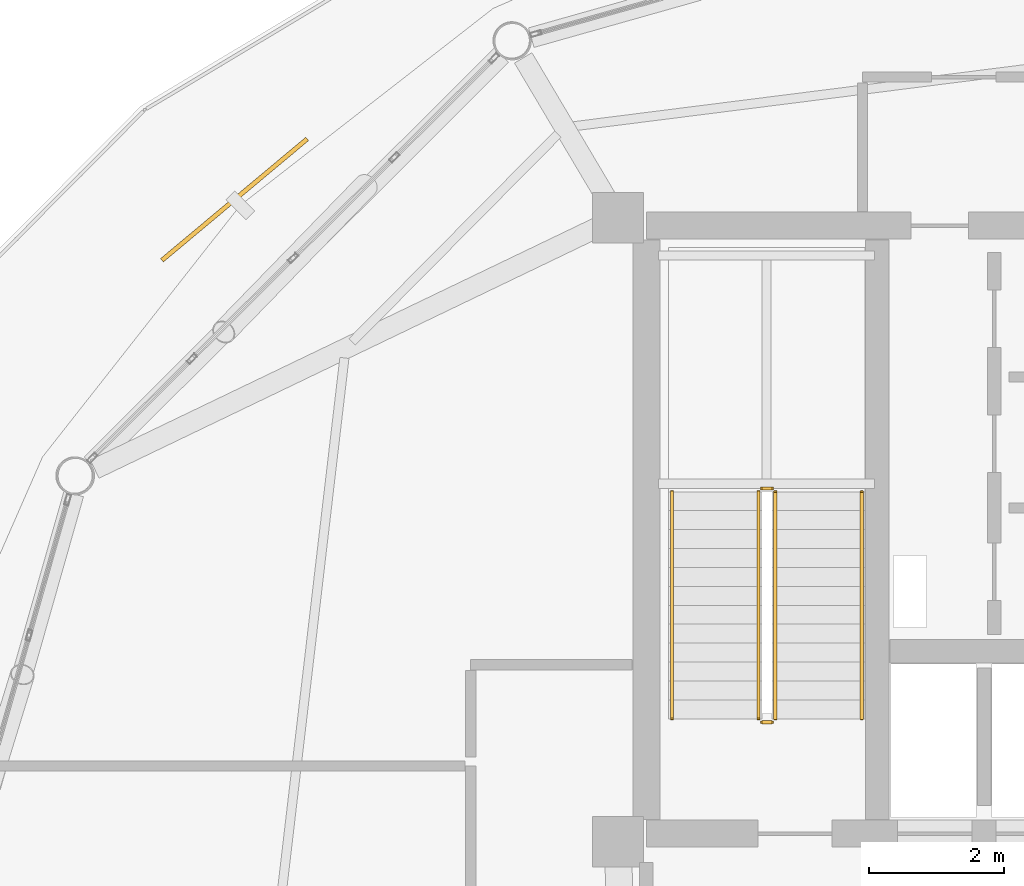
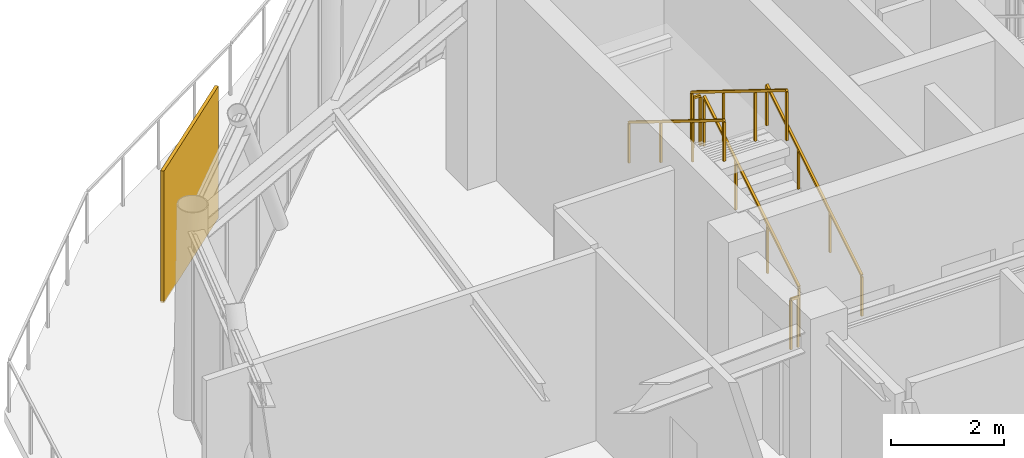
# One storey, part 22 of 24: 6 railings, 1 shading device.
"""IFC4 building model written with IfcOpenShell, lengths in metres."""

from ifc_helpers import new_model, si_unit, direction, frame, origin, origin_2d, place, context, subcontext, project, spatial, rectangle, extrude, source, transform, mapped, material, type_object, type_shapes, element, save


model = new_model("IFC4")

# Units and contexts
model_context = context("Model", 3, precision=1e-05, world=origin(), true_north=direction((0.0, 1.0)))
body_context = subcontext(model_context, "Body", "Model", "MODEL_VIEW")
ifc_project = project(units=[si_unit("LENGTHUNIT", "METRE"), si_unit("AREAUNIT", "SQUARE_METRE"), si_unit("VOLUMEUNIT", "CUBIC_METRE"), si_unit("PLANEANGLEUNIT", "RADIAN"), si_unit("MASSUNIT", "GRAM", prefix="KILO")], contexts=[model_context])

# Site, building, storey
site_placement = place(None, origin())
site = spatial("IfcSite", under=ifc_project, at=site_placement, CompositionType="ELEMENT")
building_placement = place(site_placement, origin())
building = spatial("IfcBuilding", under=site, at=building_placement, Name="Varnakorn Sky Granary", CompositionType="ELEMENT")
storey_placement = place(building_placement, frame((0.0, 0.0, 285.0)))
storey = spatial("IfcBuildingStorey", under=building, at=storey_placement, Name="L73", CompositionType="ELEMENT", Elevation=285.0)

# Railings
ifc_material_1 = material(Name="Brushed Stainless Steel 316", Category="steel")
railing_type_1 = type_object("IfcRailingType", Name="RL-STAIR-1100", PredefinedType="GUARDRAIL", material=ifc_material_1)
railing_1_placement = place(storey_placement, frame((-0.090087890625, 5.199951171875, 0.173095703125)))
element("IfcRailing", 1, at=railing_1_placement, inside=storey, type_object=railing_type_1, Name="L73 ST-1 stair guard 1", PredefinedType="GUARDRAIL", context=body_context, shape_type="SweptSolid", body=[
    extrude(rectangle(XDim=0.048095703125, YDim=0.048095703125, at=origin_2d()), frame((0.0, 0.0, 1.076171875), z_axis=(0.0, 0.850623216509, 0.525775754039), x_axis=(-1.0, 0.0, 0.0)), (0.0, 0.0, 1.0), 3.9501953125),
    extrude(rectangle(XDim=0.0419921875, YDim=0.0419921875, at=origin_2d()), origin(), (0.0, 0.0, 1.0), 1.048095703125),
    extrude(rectangle(XDim=0.0419921875, YDim=0.0419921875, at=origin_2d()), frame((0.0, 1.1201171875, 0.6923828125)), (0.0, 0.0, 1.0), 1.048095703125),
    extrude(rectangle(XDim=0.0419921875, YDim=0.0419921875, at=origin_2d()), frame((0.0, 2.239990234375, 1.384521484375)), (0.0, 0.0, 1.0), 1.048095703125),
    extrude(rectangle(XDim=0.0419921875, YDim=0.0419921875, at=origin_2d()), frame((0.0, 3.360107421875, 2.076904296875)), (0.0, 0.0, 1.0), 1.048095703125),
])
railing_2_placement = place(storey_placement, frame((-0.139892578125, 8.610107421875, 2.25)))
element("IfcRailing", 2, at=railing_2_placement, inside=storey, type_object=railing_type_1, Name="L73 ST-1 stair guard 2", PredefinedType="GUARDRAIL", context=body_context, shape_type="SweptSolid", body=[
    extrude(rectangle(XDim=0.048095703125, YDim=0.048095703125, at=origin_2d()), frame((0.0, 0.0, 1.076171875), z_axis=(-1.0, 0.0, 0.0), x_axis=(0.0, -1.0, 0.0)), (0.0, 0.0, 1.0), 0.150146484375),
    extrude(rectangle(XDim=0.0419921875, YDim=0.0419921875, at=origin_2d()), origin(), (0.0, 0.0, 1.0), 1.048095703125),
    extrude(rectangle(XDim=0.0419921875, YDim=0.0419921875, at=origin_2d()), frame((-0.150146484375, 0.0, 0.0)), (0.0, 0.0, 1.0), 1.048095703125),
])
railing_3_placement = place(storey_placement, frame((-0.340087890625, 8.56005859375, 2.423095703125)))
element("IfcRailing", 3, at=railing_3_placement, inside=storey, type_object=railing_type_1, Name="L73 ST-1 stair guard 3", PredefinedType="GUARDRAIL", context=body_context, shape_type="SweptSolid", body=[
    extrude(rectangle(XDim=0.048095703125, YDim=0.048095703125, at=origin_2d()), frame((0.0, 0.0, 1.076171875), z_axis=(0.0, -0.850623216509, 0.525775754039), x_axis=(1.0, 0.0, 0.0)), (0.0, 0.0, 1.0), 3.9501953125),
    extrude(rectangle(XDim=0.0419921875, YDim=0.0419921875, at=origin_2d()), origin(), (0.0, 0.0, 1.0), 1.048095703125),
    extrude(rectangle(XDim=0.0419921875, YDim=0.0419921875, at=origin_2d()), frame((0.0, -1.1201171875, 0.6923828125)), (0.0, 0.0, 1.0), 1.048095703125),
    extrude(rectangle(XDim=0.0419921875, YDim=0.0419921875, at=origin_2d()), frame((0.0, -2.239990234375, 1.384521484375)), (0.0, 0.0, 1.0), 1.048095703125),
    extrude(rectangle(XDim=0.0419921875, YDim=0.0419921875, at=origin_2d()), frame((0.0, -3.360107421875, 2.076904296875)), (0.0, 0.0, 1.0), 1.048095703125),
])
railing_4_placement = place(storey_placement, frame((-0.139892578125, 5.14990234375, 0.0)))
element("IfcRailing", 4, at=railing_4_placement, inside=storey, type_object=railing_type_1, Name="L73 ST-1 stair guard 4", PredefinedType="GUARDRAIL", context=body_context, shape_type="SweptSolid", body=[
    extrude(rectangle(XDim=0.048095703125, YDim=0.048095703125, at=origin_2d()), frame((0.0, 0.0, 1.076171875), z_axis=(-1.0, 0.0, 0.0), x_axis=(0.0, -1.0, 0.0)), (0.0, 0.0, 1.0), 0.150146484375),
    extrude(rectangle(XDim=0.0419921875, YDim=0.0419921875, at=origin_2d()), origin(), (0.0, 0.0, 1.0), 1.048095703125),
    extrude(rectangle(XDim=0.0419921875, YDim=0.0419921875, at=origin_2d()), frame((-0.150146484375, 0.0, 0.0)), (0.0, 0.0, 1.0), 1.048095703125),
])
railing_type_2 = type_object("IfcRailingType", Name="RL-STAIR-920", PredefinedType="HANDRAIL", material=ifc_material_1)
railing_5_placement = place(storey_placement, frame((1.18994140625, 5.199951171875, 0.173095703125)))
element("IfcRailing", 5, at=railing_5_placement, inside=storey, type_object=railing_type_2, Name="L73 ST-1 stair handrail 1", PredefinedType="HANDRAIL", context=body_context, shape_type="SweptSolid", body=[
    extrude(rectangle(XDim=0.048095703125, YDim=0.048095703125, at=origin_2d()), frame((0.0, 0.0, 0.8759765625), z_axis=(0.0, 0.850623216509, 0.525775754039), x_axis=(-1.0, 0.0, 0.0)), (0.0, 0.0, 1.0), 3.9501953125),
    extrude(rectangle(XDim=0.0419921875, YDim=0.0419921875, at=origin_2d()), origin(), (0.0, 0.0, 1.0), 0.847900390625),
    extrude(rectangle(XDim=0.0419921875, YDim=0.0419921875, at=origin_2d()), frame((0.0, 1.1201171875, 0.6923828125)), (0.0, 0.0, 1.0), 0.847900390625),
    extrude(rectangle(XDim=0.0419921875, YDim=0.0419921875, at=origin_2d()), frame((0.0, 2.239990234375, 1.384521484375)), (0.0, 0.0, 1.0), 0.847900390625),
    extrude(rectangle(XDim=0.0419921875, YDim=0.0419921875, at=origin_2d()), frame((0.0, 3.360107421875, 2.076904296875)), (0.0, 0.0, 1.0), 0.847900390625),
])
railing_6_placement = place(storey_placement, frame((-1.6201171875, 8.56005859375, 2.423095703125)))
element("IfcRailing", 6, at=railing_6_placement, inside=storey, type_object=railing_type_2, Name="L73 ST-1 stair handrail 2", PredefinedType="HANDRAIL", context=body_context, shape_type="SweptSolid", body=[
    extrude(rectangle(XDim=0.048095703125, YDim=0.048095703125, at=origin_2d()), frame((0.0, 0.0, 0.8759765625), z_axis=(0.0, -0.850623216509, 0.525775754039), x_axis=(1.0, 0.0, 0.0)), (0.0, 0.0, 1.0), 3.9501953125),
    extrude(rectangle(XDim=0.0419921875, YDim=0.0419921875, at=origin_2d()), origin(), (0.0, 0.0, 1.0), 0.847900390625),
    extrude(rectangle(XDim=0.0419921875, YDim=0.0419921875, at=origin_2d()), frame((0.0, -1.1201171875, 0.6923828125)), (0.0, 0.0, 1.0), 0.847900390625),
    extrude(rectangle(XDim=0.0419921875, YDim=0.0419921875, at=origin_2d()), frame((0.0, -2.239990234375, 1.384521484375)), (0.0, 0.0, 1.0), 0.847900390625),
    extrude(rectangle(XDim=0.0419921875, YDim=0.0419921875, at=origin_2d()), frame((0.0, -3.360107421875, 2.076904296875)), (0.0, 0.0, 1.0), 0.847900390625),
])

# Shading device
ifc_material_2 = material(Name="Anodised Bronze Aluminium Alloy 6063-T6", Category="aluminium")
shading_device_type = type_object("IfcShadingDeviceType", Name="SH-SCR-03", PredefinedType="USERDEFINED", material=ifc_material_2)
shared_shape = source(origin(), body_context, "Body", "SweptSolid", [
    extrude(rectangle(XDim=2.800048828125, YDim=0.06494140625, at=origin_2d()), origin(), (0.0, 0.0, 1.0), 2.85009765625),
])
type_shapes(shading_device_type, [shared_shape])
shading_device_placement = place(storey_placement, frame((-8.09619140625, 12.885986328125, -0.0400390625), z_axis=(0.0, 0.0, 1.0), x_axis=(-0.767349799871, -0.641228730359, 0.0)))
element("IfcShadingDevice", 7, at=shading_device_placement, inside=storey, type_object=shading_device_type, Name="Perforated Bronze Solar Screen Panel SCREEN L73-05", ObjectType="SCREEN", PredefinedType="USERDEFINED", context=body_context, shape_type="MappedRepresentation", body=[
    mapped(shared_shape, transform((0.0, 0.0, 0.0), x_axis=(1.0, 0.0, 0.0), y_axis=(0.0, 1.0, 0.0), z_axis=(0.0, 0.0, 1.0), scale=1.0)),
])

save(model, "model.ifc")
